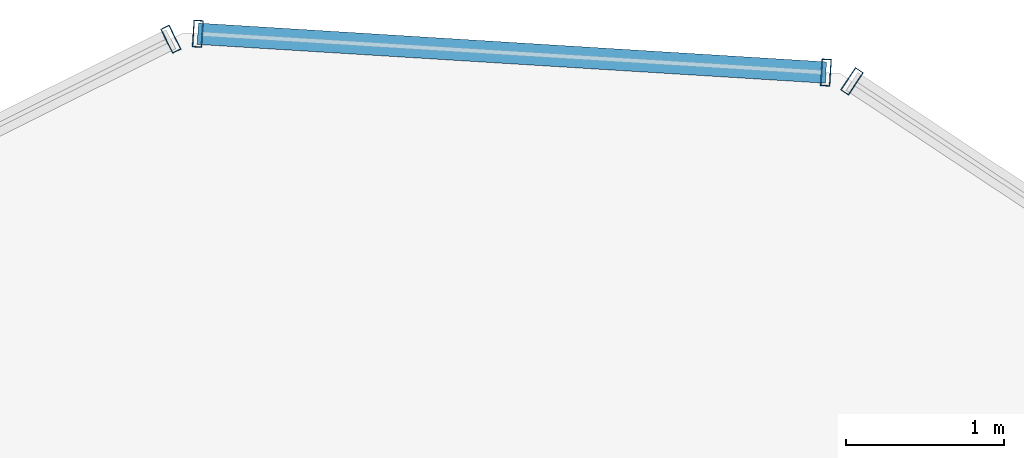
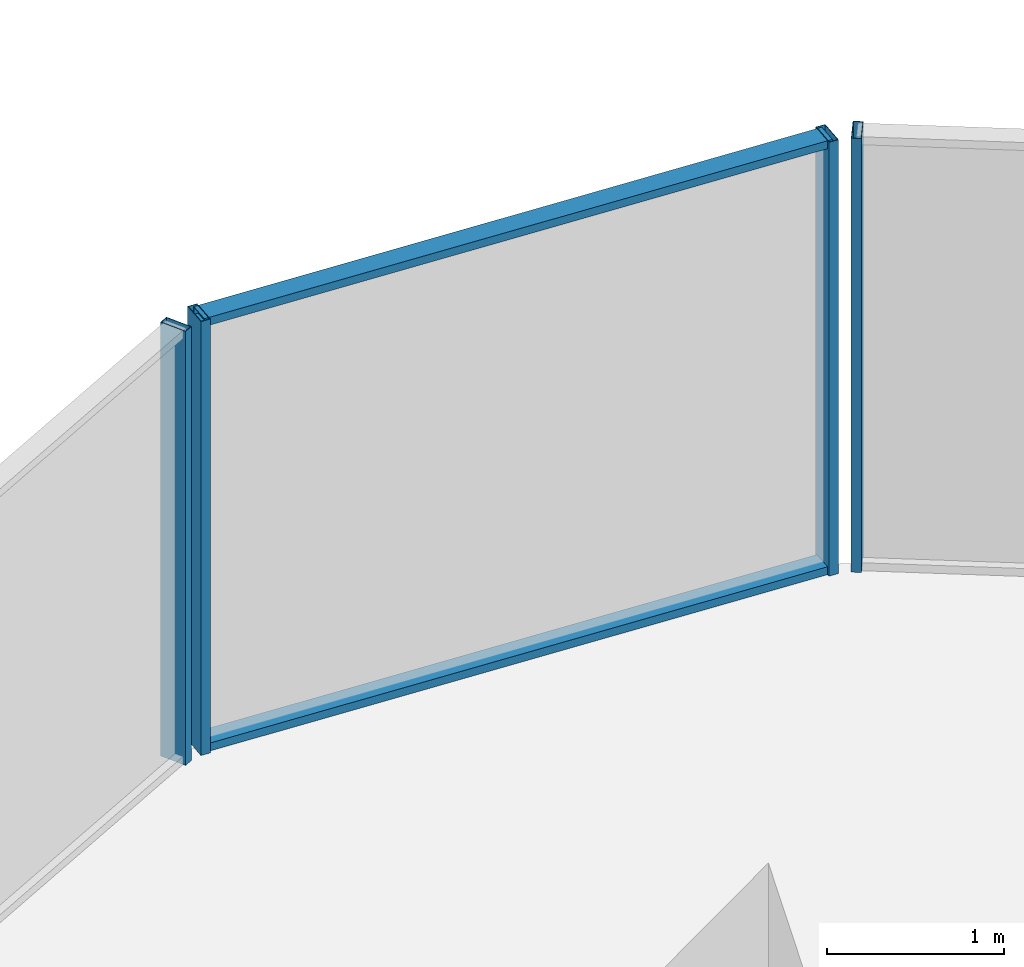
# One storey, part 23 of 30: 6 members, 3 elements without a shape of their own.
"""IFC4 building model written with IfcOpenShell, lengths in metres."""

from ifc_helpers import new_model, si_unit, direction, frame, origin, origin_2d, place, context, subcontext, project, spatial, hollow_rectangle, extrude, source, transform, mapped, material, layer, layer_set, material_profile, profile_set, type_object, element, aggregate, save


model = new_model("IFC4")

# Units and contexts
model_context = context("Model", 3, precision=1e-05, world=origin(), true_north=direction((0.0, 1.0)))
body_context = subcontext(model_context, "Body", "Model", "MODEL_VIEW")
ifc_project = project(units=[si_unit("LENGTHUNIT", "METRE"), si_unit("AREAUNIT", "SQUARE_METRE"), si_unit("VOLUMEUNIT", "CUBIC_METRE"), si_unit("PLANEANGLEUNIT", "RADIAN"), si_unit("MASSUNIT", "GRAM", prefix="KILO")], contexts=[model_context])

# Site, building, storey
site_placement = place(None, origin())
site = spatial("IfcSite", under=ifc_project, at=site_placement, CompositionType="ELEMENT")
building_placement = place(site_placement, origin())
building = spatial("IfcBuilding", under=site, at=building_placement, Name="Veraguas Prism Commons", CompositionType="ELEMENT")
storey_placement = place(building_placement, frame((0.0, 0.0, 116.5)))
storey = spatial("IfcBuildingStorey", under=building, at=storey_placement, Name="L32", CompositionType="ELEMENT", Elevation=116.5)

# Curtain wall, member
ifc_material = material(Name="Anodised aluminium EN AW-6063 T6", Category="aluminium")
ifc_layer = layer(ifc_material, 0.169921875, Name="Unitised Flush Curtain Wall Zone 2", Category="aluminium")
ifc_layer_set = layer_set([ifc_layer], Name="Anodised aluminium EN AW-6063 T6")
curtain_wall_type = type_object("IfcCurtainWallType", Name="Unitised Flush Curtain Wall Zone 2", PredefinedType="NOTDEFINED", material=ifc_layer_set)
curtain_wall_1_placement = place(storey_placement, origin())
curtain_wall_1 = element("IfcCurtainWall", 1, at=curtain_wall_1_placement, inside=storey, type_object=curtain_wall_type, Name="Tower Facade Curtain Wall L32-F1", PredefinedType="NOTDEFINED")
ifc_material_profile_1 = material_profile(ifc_material, hollow_rectangle(XDim=0.06005859375, YDim=0.169921875, WallThickness=0.00390625, at=origin_2d()), Name="AL60X170X4")
ifc_profile_set_1 = profile_set([ifc_material_profile_1], Name="Anodised aluminium EN AW-6063 T6")
member_type_1 = type_object("IfcMemberType", Name="Curtain Wall Mullion Lower AL 60x170x4", PredefinedType="MULLION", material=ifc_profile_set_1)
shared_shape_1 = source(origin(), body_context, "Body", "SweptSolid", [
    extrude(hollow_rectangle(XDim=0.06005859375, YDim=0.169921875, WallThickness=0.00390625, at=origin_2d()), origin(), (0.0, 0.0, 1.0), 3.0),
])
member_1_placement = place(storey_placement, frame((27.441162109375, 44.733154296875, 0.0), z_axis=(0.0, 0.0, 1.0), x_axis=(-0.833504151469, 0.552513193945, 0.0)))
member_1 = element("IfcMember", 2, at=member_1_placement, type_object=member_type_1, Name="CW-Z2 Mullion 5", PredefinedType="MULLION", context=body_context, shape_type="MappedRepresentation", body=[
    mapped(shared_shape_1, transform((0.0, 0.0, 0.0), scale=1.0)),
])
aggregate(curtain_wall_1, [member_1])

curtain_wall_2_placement = place(storey_placement, origin())
curtain_wall_2 = element("IfcCurtainWall", 3, at=curtain_wall_2_placement, inside=storey, type_object=curtain_wall_type, Name="Tower Facade Curtain Wall L32-F2", PredefinedType="NOTDEFINED")
member_2_placement = place(storey_placement, frame((23.140380859375, 44.999267578125, 0.0), z_axis=(0.0, 0.0, 1.0), x_axis=(-0.895244870652, -0.445574484875, 0.0)))
member_2 = element("IfcMember", 4, at=member_2_placement, type_object=member_type_1, Name="CW-Z2 Mullion 1", PredefinedType="MULLION", context=body_context, shape_type="MappedRepresentation", body=[
    mapped(shared_shape_1, transform((0.0, 0.0, 0.0), scale=1.0)),
])
aggregate(curtain_wall_2, [member_2])

# Curtain wall, members
curtain_wall_3_placement = place(storey_placement, origin())
curtain_wall_3 = element("IfcCurtainWall", 5, at=curtain_wall_3_placement, inside=storey, type_object=curtain_wall_type, Name="Chamfer Curtain Wall L32-C2", PredefinedType="NOTDEFINED")
member_3_placement = place(storey_placement, frame((27.2763671875, 44.78857421875, 0.0), z_axis=(0.0, 0.0, 1.0), x_axis=(-0.998092366305, 0.061738386148, 0.0)))
member_3 = element("IfcMember", 6, at=member_3_placement, type_object=member_type_1, Name="CW-Z2 Mullion 1", PredefinedType="MULLION", context=body_context, shape_type="MappedRepresentation", body=[
    mapped(shared_shape_1, transform((0.0, 0.0, 0.0), scale=1.0)),
])
member_4_placement = place(storey_placement, frame((23.310791015625, 45.03369140625, 0.0), z_axis=(0.0, 0.0, 1.0), x_axis=(-0.998092366305, 0.061738386148, 0.0)))
member_4 = element("IfcMember", 7, at=member_4_placement, type_object=member_type_1, Name="CW-Z2 Mullion 2", PredefinedType="MULLION", context=body_context, shape_type="MappedRepresentation", body=[
    mapped(shared_shape_1, transform((0.0, 0.0, 0.0), scale=1.0)),
])
ifc_material_profile_2 = material_profile(ifc_material, hollow_rectangle(XDim=0.054931640625, YDim=0.135009765625, WallThickness=0.0029296875, at=origin_2d()), Name="AL55X135X3")
ifc_profile_set_2 = profile_set([ifc_material_profile_2], Name="Anodised aluminium EN AW-6063 T6")
member_type_2 = type_object("IfcMemberType", Name="Curtain Wall Transom Standard AL 55x135x3", PredefinedType="USERDEFINED", material=ifc_profile_set_2)
shared_shape_2 = source(origin(), body_context, "Body", "SweptSolid", [
    extrude(hollow_rectangle(XDim=0.054931640625, YDim=0.135009765625, WallThickness=0.0029296875, at=origin_2d()), origin(), (0.0, 0.0, 1.0), 3.97314453125),
])
member_5_placement = place(storey_placement, frame((27.2763671875, 44.78857421875, 0.027587890625), z_axis=(-0.998095141779, 0.061693500114, 0.0), x_axis=(0.0, 0.0, 1.0)))
member_5 = element("IfcMember", 8, at=member_5_placement, type_object=member_type_2, Name="CW-Z2 Transom 1", ObjectType="TRANSOM", PredefinedType="USERDEFINED", context=body_context, shape_type="MappedRepresentation", body=[
    mapped(shared_shape_2, transform((0.0, 0.0, 0.0), scale=1.0)),
])
member_6_placement = place(storey_placement, frame((27.2763671875, 44.78857421875, 2.972412109375), z_axis=(-0.998095141779, 0.061693500114, 0.0), x_axis=(0.0, 0.0, 1.0)))
member_6 = element("IfcMember", 9, at=member_6_placement, type_object=member_type_2, Name="CW-Z2 Transom 2", ObjectType="TRANSOM", PredefinedType="USERDEFINED", context=body_context, shape_type="MappedRepresentation", body=[
    mapped(shared_shape_2, transform((0.0, 0.0, 0.0), scale=1.0)),
])
aggregate(curtain_wall_3, [member_3, member_4, member_5, member_6])

save(model, "model.ifc")
